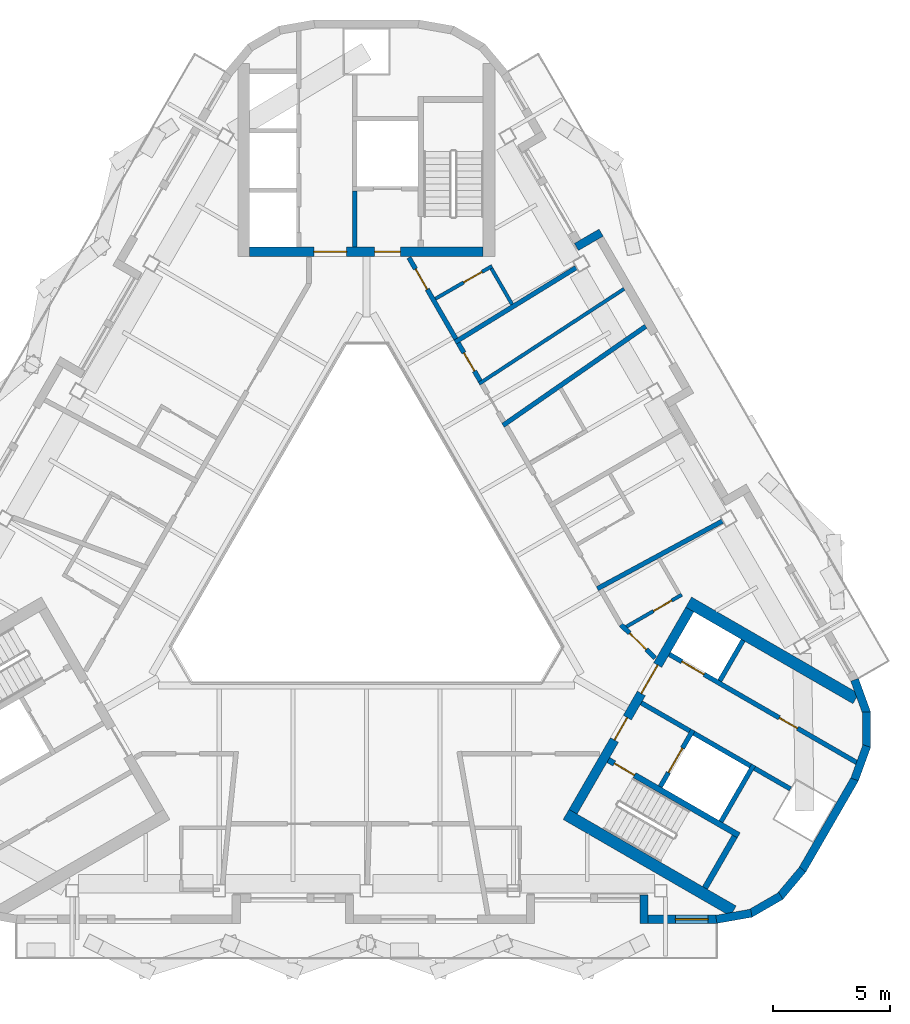
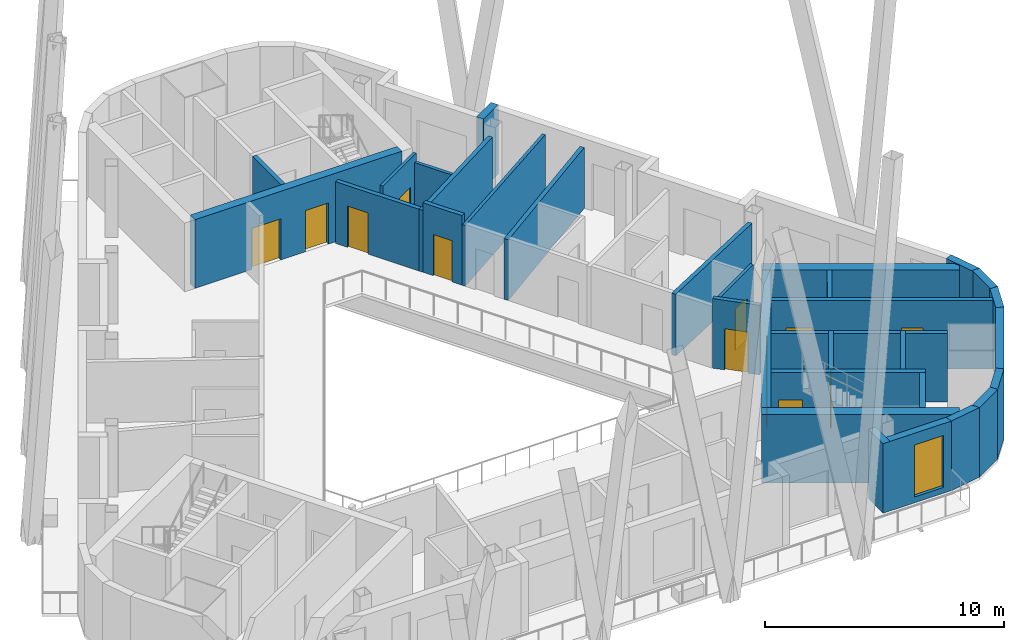
# One storey, part 5 of 12: 34 walls, 13 doors, 1 window, 14 openings.
"""IFC4 building model written with IfcOpenShell, lengths in metres."""

from ifc_helpers import new_model, si_unit, direction, frame, frame_2d, origin, place, context, subcontext, project, spatial, rectangle, extrude, material, layer, layer_set, type_object, element, fill, save


model = new_model("IFC4")

# Units and contexts
model_context = context("Model", 3, precision=1e-05, world=origin(), true_north=direction((0.0, 1.0)))
body_context = subcontext(model_context, "Body", "Model", "MODEL_VIEW")
ifc_project = project(units=[si_unit("LENGTHUNIT", "METRE"), si_unit("AREAUNIT", "SQUARE_METRE"), si_unit("VOLUMEUNIT", "CUBIC_METRE"), si_unit("PLANEANGLEUNIT", "RADIAN"), si_unit("MASSUNIT", "GRAM", prefix="KILO")], contexts=[model_context])

# Site, building, storey
site_placement = place(None, origin())
site = spatial("IfcSite", under=ifc_project, at=site_placement, CompositionType="ELEMENT")
building_placement = place(site_placement, origin())
building = spatial("IfcBuilding", under=site, at=building_placement, Name="Apuvela Tower Hotel", CompositionType="ELEMENT")
storey_placement = place(building_placement, frame((0.0, 0.0, 324.39990234375)))
storey = spatial("IfcBuildingStorey", under=building, at=storey_placement, Name="L81", CompositionType="ELEMENT", Elevation=324.39990234375)

# Wall, openings, doors
ifc_material_1 = material(Name="Concrete C50/60", Category="concrete")
ifc_layer_1 = layer(ifc_material_1, 0.39990234375)
ifc_layer_set_1 = layer_set([ifc_layer_1], Name="COR-WALL-CORE-400")
wall_type_1 = type_object("IfcWallType", Name="COR-WALL-CORE-400", PredefinedType="SHEAR", material=ifc_layer_set_1)
wall_1_placement = place(storey_placement, frame((5.0, 13.10009765625, 0.0), z_axis=(0.0, 0.0, 1.0), x_axis=(-1.0, 0.0, 0.0)))
wall_1 = element("IfcWall", 1, at=wall_1_placement, inside=storey, type_object=wall_type_1, Name="Core wall N", PredefinedType="SHEAR", context=body_context, shape_type="SweptSolid", body=[
    extrude(rectangle(XDim=10.0, YDim=0.39990234375, at=frame_2d((5.0, 0.0))), origin(), (0.0, 0.0, 1.0), 3.5),
])
opening_1_placement = place(wall_1_placement, frame((3.550048828125, 0.0, 0.0)))
opening_1 = element("IfcOpeningElement", 2, at=opening_1_placement, cuts=wall_1, Name="Opening N-FD", PredefinedType="OPENING", context=body_context, shape_type="SweptSolid", body=[
    extrude(rectangle(XDim=1.10009765625, YDim=2.10009765625, at=frame_2d((0.550048828125, 1.050048828125))), frame((0.0, 0.2099609375, 0.0), z_axis=(0.0, -1.0, 0.0), x_axis=(1.0, 0.0, 0.0)), (0.0, 0.0, 1.0), 0.419921875),
])
opening_2_placement = place(wall_1_placement, frame((5.85009765625, 0.0, 0.0)))
opening_2 = element("IfcOpeningElement", 3, at=opening_2_placement, cuts=wall_1, Name="Opening N-GD", PredefinedType="OPENING", context=body_context, shape_type="SweptSolid", body=[
    extrude(rectangle(XDim=1.39990234375, YDim=2.10009765625, at=frame_2d((0.699951171875, 1.050048828125))), frame((0.0, 0.2099609375, 0.0), z_axis=(0.0, -1.0, 0.0), x_axis=(1.0, 0.0, 0.0)), (0.0, 0.0, 1.0), 0.419921875),
])
ifc_material_2 = material(Name="Steel fire door, powder coated", Category="steel")
door_type_1 = type_object("IfcDoorType", Name="COR-FD-1100", OperationType="NOTDEFINED", PredefinedType="DOOR", material=ifc_material_2)
door_1_placement = place(opening_1_placement, frame((1.10009765625, 0.0, 0.0), z_axis=(0.0, 0.0, 1.0), x_axis=(-1.0, 0.0, 0.0)))
door_1 = element("IfcDoor", 4, at=door_1_placement, inside=storey, type_object=door_type_1, Name="Firefighting lobby door N-FD", OperationType="SINGLE_SWING_LEFT", OverallHeight=2.10009765625, OverallWidth=1.10009765625, PredefinedType="DOOR", context=body_context, shape_type="SweptSolid", body=[
    extrude(rectangle(XDim=1.10009765625, YDim=2.10009765625, at=frame_2d((0.550048828125, 1.050048828125))), frame((0.0, 0.02490234375, 0.0), z_axis=(0.0, -1.0, 0.0), x_axis=(1.0, 0.0, 0.0)), (0.0, 0.0, 1.0), 0.050048828125),
])
fill(opening_1, door_1)
ifc_material_3 = material(Name="Glazed steel fire door", Category="steel")
door_type_2 = type_object("IfcDoorType", Name="COR-GD-1400", OperationType="DOUBLE_DOOR_SINGLE_SWING", PredefinedType="DOOR", material=ifc_material_3)
door_2_placement = place(opening_2_placement, frame((1.39990234375, 0.0, 0.0), z_axis=(0.0, 0.0, 1.0), x_axis=(-1.0, 0.0, 0.0)))
door_2 = element("IfcDoor", 5, at=door_2_placement, inside=storey, type_object=door_type_2, Name="Lift lobby door N-GD", OperationType="DOUBLE_DOOR_SINGLE_SWING", OverallHeight=2.10009765625, OverallWidth=1.39990234375, PredefinedType="DOOR", context=body_context, shape_type="SweptSolid", body=[
    extrude(rectangle(XDim=1.39990234375, YDim=2.10009765625, at=frame_2d((0.699951171875, 1.050048828125))), frame((0.0, 0.02490234375, 0.0), z_axis=(0.0, -1.0, 0.0), x_axis=(1.0, 0.0, 0.0)), (0.0, 0.0, 1.0), 0.050048828125),
])
fill(opening_2, door_2)

wall_2_placement = place(storey_placement, frame((8.844970703125, -10.880126953125, 0.0), z_axis=(0.0, 0.0, 1.0), x_axis=(0.500004234368, 0.866022959057, 0.0)))
wall_2 = element("IfcWall", 6, at=wall_2_placement, inside=storey, type_object=wall_type_1, Name="Core wall SE", PredefinedType="SHEAR", context=body_context, shape_type="SweptSolid", body=[
    extrude(rectangle(XDim=10.0, YDim=0.39990234375, at=frame_2d((5.0, 0.0))), origin(), (0.0, 0.0, 1.0), 3.5),
])
opening_3_placement = place(wall_2_placement, frame((3.550048828125, 0.0, 0.0)))
opening_3 = element("IfcOpeningElement", 7, at=opening_3_placement, cuts=wall_2, Name="Opening E-FD", PredefinedType="OPENING", context=body_context, shape_type="SweptSolid", body=[
    extrude(rectangle(XDim=1.10009765625, YDim=2.10009765625, at=frame_2d((0.550048828125, 1.050048828125))), frame((0.0, 0.2099609375, 0.0), z_axis=(0.0, -1.0, 0.0), x_axis=(1.0, 0.0, 0.0)), (0.0, 0.0, 1.0), 0.419921875),
])
opening_4_placement = place(wall_2_placement, frame((5.85009765625, 0.0, 0.0)))
opening_4 = element("IfcOpeningElement", 8, at=opening_4_placement, cuts=wall_2, Name="Opening E-GD", PredefinedType="OPENING", context=body_context, shape_type="SweptSolid", body=[
    extrude(rectangle(XDim=1.39990234375, YDim=2.10009765625, at=frame_2d((0.699951171875, 1.050048828125))), frame((0.0, 0.2099609375, 0.0), z_axis=(0.0, -1.0, 0.0), x_axis=(1.0, 0.0, 0.0)), (0.0, 0.0, 1.0), 0.419921875),
])
door_3_placement = place(opening_3_placement, frame((1.10009765625, 0.0, 0.0), z_axis=(0.0, 0.0, 1.0), x_axis=(-1.0, 0.0, 0.0)))
door_3 = element("IfcDoor", 9, at=door_3_placement, inside=storey, type_object=door_type_1, Name="Firefighting lobby door E-FD", OperationType="SINGLE_SWING_LEFT", OverallHeight=2.10009765625, OverallWidth=1.10009765625, PredefinedType="DOOR", context=body_context, shape_type="SweptSolid", body=[
    extrude(rectangle(XDim=1.10009765625, YDim=2.10009765625, at=frame_2d((0.550048828125, 1.050048828125))), frame((0.0, 0.02490234375, 0.0), z_axis=(0.0, -1.0, 0.0), x_axis=(1.0, 0.0, 0.0)), (0.0, 0.0, 1.0), 0.050048828125),
])
fill(opening_3, door_3)
door_4_placement = place(opening_4_placement, frame((1.39990234375, 0.0, 0.0), z_axis=(0.0, 0.0, 1.0), x_axis=(-1.0, 0.0, 0.0)))
door_4 = element("IfcDoor", 10, at=door_4_placement, inside=storey, type_object=door_type_2, Name="Lift lobby door E-GD", OperationType="DOUBLE_DOOR_SINGLE_SWING", OverallHeight=2.10009765625, OverallWidth=1.39990234375, PredefinedType="DOOR", context=body_context, shape_type="SweptSolid", body=[
    extrude(rectangle(XDim=1.39990234375, YDim=2.10009765625, at=frame_2d((0.699951171875, 1.050048828125))), frame((0.0, 0.02490234375, 0.0), z_axis=(0.0, -1.0, 0.0), x_axis=(1.0, 0.0, 0.0)), (0.0, 0.0, 1.0), 0.050048828125),
])
fill(opening_4, door_4)

# Walls
ifc_layer_2 = layer(ifc_material_1, 0.5)
ifc_layer_set_2 = layer_set([ifc_layer_2], Name="COR-WALL-CORE-500")
wall_type_2 = type_object("IfcWallType", Name="COR-WALL-CORE-500", PredefinedType="SHEAR", material=ifc_layer_set_2)
for number, where, z_axis, x_axis, name in (
    (11, (8.546630859375, -10.99658203125, 0.0), (0.0, 0.0, 1.0), (0.866030186143, -0.49999171662, 0.0), "Core wall SE"),
    (12, (13.796630859375, -1.9033203125, 0.0), (0.0, 0.0, 1.0), (0.866030186143, -0.49999171662, 0.0), "Core wall SE"),
):
    element("IfcWall", number, at=place(storey_placement, frame(where, z_axis=z_axis, x_axis=x_axis)), inside=storey, type_object=wall_type_2, Name=name, PredefinedType="SHEAR", context=body_context, shape_type="SweptSolid", body=[
        extrude(rectangle(XDim=8.267333984375, YDim=0.5, at=frame_2d((4.1337890625, 0.0))), origin(), (0.0, 0.0, 1.0), 3.5),
    ])
ifc_layer_3 = layer(ifc_material_1, 0.199951171875)
ifc_layer_set_3 = layer_set([ifc_layer_3], Name="COR-WALL-SHAFT-200")
wall_type_3 = type_object("IfcWallType", Name="COR-WALL-SHAFT-200", PredefinedType="SHEAR", material=ifc_layer_set_3)
wall_3_placement = place(storey_placement, frame((-0.5, 13.300048828125, 0.0), z_axis=(0.0, 0.0, 1.0), x_axis=(0.0, 1.0, 0.0)))
element("IfcWall", 13, at=wall_3_placement, inside=storey, type_object=wall_type_3, Name="Shaft wall N", PredefinedType="SHEAR", context=body_context, shape_type="SweptSolid", body=[
    extrude(rectangle(XDim=2.39990234375, YDim=0.199951171875, at=frame_2d((1.199951171875, 0.0))), origin(), (0.0, 0.0, 1.0), 3.5),
])
wall_4_placement = place(storey_placement, frame((15.181396484375, -11.305419921875, 0.0), z_axis=(0.0, 0.0, 1.0), x_axis=(0.49994636267, 0.866056369097, 0.0)))
element("IfcWall", 14, at=wall_4_placement, inside=storey, type_object=wall_type_3, Name="Shaft wall SE", PredefinedType="SHEAR", context=body_context, shape_type="SweptSolid", body=[
    extrude(rectangle(XDim=2.800048828125, YDim=0.199951171875, at=frame_2d((1.39990234375, 0.0))), origin(), (0.0, 0.0, 1.0), 3.5),
])

# Wall, opening, door
wall_5_placement = place(storey_placement, frame((12.583251953125, -9.805419921875, 0.0), z_axis=(0.0, 0.0, 1.0), x_axis=(0.49994636267, 0.866056369097, 0.0)))
wall_5 = element("IfcWall", 15, at=wall_5_placement, inside=storey, type_object=wall_type_3, Name="Shaft wall SE", PredefinedType="SHEAR", context=body_context, shape_type="SweptSolid", body=[
    extrude(rectangle(XDim=2.800048828125, YDim=0.199951171875, at=frame_2d((1.39990234375, 0.0))), origin(), (0.0, 0.0, 1.0), 3.5),
])
opening_5_placement = place(wall_5_placement, frame((0.699951171875, 0.0, 0.0)))
opening_5 = element("IfcOpeningElement", 16, at=opening_5_placement, cuts=wall_5, Name="Opening E-LD-FS3", PredefinedType="OPENING", context=body_context, shape_type="SweptSolid", body=[
    extrude(rectangle(XDim=1.199951171875, YDim=2.10009765625, at=frame_2d((0.60009765625, 1.050048828125))), frame((0.0, 0.10986328125, 0.0), z_axis=(0.0, -1.0, 0.0), x_axis=(1.0, 0.0, 0.0)), (0.0, 0.0, 1.0), 0.219970703125),
])
ifc_material_4 = material(Name="Stainless steel lift landing door", Category="steel")
door_type_3 = type_object("IfcDoorType", Name="COR-LD-1200", OperationType="DOUBLE_DOOR_SLIDING", PredefinedType="DOOR", material=ifc_material_4)
door_5_placement = place(opening_5_placement, origin())
door_5 = element("IfcDoor", 17, at=door_5_placement, inside=storey, type_object=door_type_3, Name="Lift landing door E-LD-FS3", OperationType="DOUBLE_DOOR_SLIDING", OverallHeight=2.10009765625, OverallWidth=1.199951171875, PredefinedType="DOOR", context=body_context, shape_type="SweptSolid", body=[
    extrude(rectangle(XDim=1.199951171875, YDim=2.10009765625, at=frame_2d((0.60009765625, 1.050048828125))), frame((0.0, 0.02490234375, 0.0), z_axis=(0.0, -1.0, 0.0), x_axis=(1.0, 0.0, 0.0)), (0.0, 0.0, 1.0), 0.050048828125),
])
fill(opening_5, door_5)

# Walls
wall_6_placement = place(storey_placement, frame((11.76806640625, -6.217041015625, 0.0), z_axis=(0.0, 0.0, 1.0), x_axis=(0.866050077142, -0.499957262057, 0.0)))
element("IfcWall", 18, at=wall_6_placement, inside=storey, type_object=wall_type_3, Name="Shaft wall SE", PredefinedType="SHEAR", context=body_context, shape_type="SweptSolid", body=[
    extrude(rectangle(XDim=2.400146484375, YDim=0.199951171875, at=frame_2d((1.2001953125, 0.0))), origin(), (0.0, 0.0, 1.0), 3.5),
])
wall_7_placement = place(storey_placement, frame((14.019775390625, -7.51708984375, 0.0), z_axis=(0.0, 0.0, 1.0), x_axis=(0.866034573852, -0.49998411664, 0.0)))
element("IfcWall", 19, at=wall_7_placement, inside=storey, type_object=wall_type_3, Name="Shaft wall SE", PredefinedType="SHEAR", context=body_context, shape_type="SweptSolid", body=[
    extrude(rectangle(XDim=2.7998046875, YDim=0.199951171875, at=frame_2d((1.39990234375, 0.0))), origin(), (0.0, 0.0, 1.0), 3.5),
])

# Wall, openings, doors
wall_8_placement = place(storey_placement, frame((12.968017578125, -4.138427734375, 0.0), z_axis=(0.0, 0.0, 1.0), x_axis=(0.866022923061, -0.500004296715, 0.0)))
wall_8 = element("IfcWall", 20, at=wall_8_placement, inside=storey, type_object=wall_type_3, Name="Shaft wall SE", PredefinedType="SHEAR", context=body_context, shape_type="SweptSolid", body=[
    extrude(rectangle(XDim=9.27294921875, YDim=0.199951171875, at=frame_2d((4.636474609375, 0.0))), origin(), (0.0, 0.0, 1.0), 3.5),
])
opening_6_placement = place(wall_8_placement, frame((0.6201171875, 0.0, 0.0)))
opening_6 = element("IfcOpeningElement", 21, at=opening_6_placement, cuts=wall_8, Name="Opening E-LD-HR3", PredefinedType="OPENING", context=body_context, shape_type="SweptSolid", body=[
    extrude(rectangle(XDim=1.10009765625, YDim=2.10009765625, at=frame_2d((0.550048828125, 1.050048828125))), frame((0.0, 0.10986328125, 0.0), z_axis=(0.0, -1.0, 0.0), x_axis=(1.0, 0.0, 0.0)), (0.0, 0.0, 1.0), 0.219970703125),
])
opening_7_placement = place(wall_8_placement, frame((5.438720703125, 0.0, 0.0)))
opening_7 = element("IfcOpeningElement", 22, at=opening_7_placement, cuts=wall_8, Name="Opening E-RE2", PredefinedType="OPENING", context=body_context, shape_type="SweptSolid", body=[
    extrude(rectangle(XDim=0.89990234375, YDim=2.10009765625, at=frame_2d((0.449951171875, 1.050048828125))), frame((0.0, 0.10986328125, 0.0), z_axis=(0.0, -1.0, 0.0), x_axis=(1.0, 0.0, 0.0)), (0.0, 0.0, 1.0), 0.219970703125),
])
door_type_4 = type_object("IfcDoorType", Name="COR-DR-900", OperationType="NOTDEFINED", PredefinedType="DOOR", material=ifc_material_2)
door_6_placement = place(opening_7_placement, origin())
door_6 = element("IfcDoor", 23, at=door_6_placement, inside=storey, type_object=door_type_4, Name="Store door E-RE2", OperationType="SINGLE_SWING_LEFT", OverallHeight=2.10009765625, OverallWidth=0.89990234375, PredefinedType="DOOR", context=body_context, shape_type="SweptSolid", body=[
    extrude(rectangle(XDim=0.89990234375, YDim=2.10009765625, at=frame_2d((0.449951171875, 1.050048828125))), frame((0.0, 0.02490234375, 0.0), z_axis=(0.0, -1.0, 0.0), x_axis=(1.0, 0.0, 0.0)), (0.0, 0.0, 1.0), 0.050048828125),
])
fill(opening_7, door_6)
door_type_5 = type_object("IfcDoorType", Name="COR-LD-1100", OperationType="DOUBLE_DOOR_SLIDING", PredefinedType="DOOR", material=ifc_material_4)
door_7_placement = place(opening_6_placement, origin())
door_7 = element("IfcDoor", 24, at=door_7_placement, inside=storey, type_object=door_type_5, Name="Lift landing door E-LD-HR3", OperationType="DOUBLE_DOOR_SLIDING", OverallHeight=2.10009765625, OverallWidth=1.10009765625, PredefinedType="DOOR", context=body_context, shape_type="SweptSolid", body=[
    extrude(rectangle(XDim=1.10009765625, YDim=2.10009765625, at=frame_2d((0.550048828125, 1.050048828125))), frame((0.0, 0.02490234375, 0.0), z_axis=(0.0, -1.0, 0.0), x_axis=(1.0, 0.0, 0.0)), (0.0, 0.0, 1.0), 0.050048828125),
])
fill(opening_6, door_7)

# Walls
wall_9_placement = place(storey_placement, frame((16.617919921875, -9.01708984375, 0.0), z_axis=(0.0, 0.0, 1.0), x_axis=(0.866066400931, -0.499928984136, 0.0)))
element("IfcWall", 25, at=wall_9_placement, inside=storey, type_object=wall_type_3, Name="Shaft wall SE", PredefinedType="SHEAR", context=body_context, shape_type="SweptSolid", body=[
    extrude(rectangle(XDim=1.773681640625, YDim=0.199951171875, at=frame_2d((0.88671875, 0.0))), origin(), (0.0, 0.0, 1.0), 3.5),
])
wall_10_placement = place(storey_placement, frame((15.131103515625, -5.27197265625, 0.0), z_axis=(0.0, 0.0, 1.0), x_axis=(0.499972520799, 0.866041268327, 0.0)))
element("IfcWall", 26, at=wall_10_placement, inside=storey, type_object=wall_type_3, Name="Shaft wall SE", PredefinedType="SHEAR", context=body_context, shape_type="SweptSolid", body=[
    extrude(rectangle(XDim=2.0, YDim=0.199951171875, at=frame_2d((1.0, 0.0))), origin(), (0.0, 0.0, 1.0), 3.5),
])

# Wall, opening, door
ifc_layer_4 = layer(ifc_material_1, 0.25)
ifc_layer_set_4 = layer_set([ifc_layer_4], Name="COR-WALL-STAIR-250")
wall_type_4 = type_object("IfcWallType", Name="COR-WALL-STAIR-250", PredefinedType="SHEAR", material=ifc_layer_set_4)
wall_11_placement = place(storey_placement, frame((10.355712890625, -8.66357421875, 0.0), z_axis=(0.0, 0.0, 1.0), x_axis=(0.866028629588, -0.499994412703, 0.0)))
wall_11 = element("IfcWall", 27, at=wall_11_placement, inside=storey, type_object=wall_type_4, Name="Stair wall SE", PredefinedType="SHEAR", context=body_context, shape_type="SweptSolid", body=[
    extrude(rectangle(XDim=6.44970703125, YDim=0.25, at=frame_2d((3.224853515625, 0.0))), origin(), (0.0, 0.0, 1.0), 3.5),
])
opening_8_placement = place(wall_11_placement, frame((0.300048828125, 0.0, 0.0)))
opening_8 = element("IfcOpeningElement", 28, at=opening_8_placement, cuts=wall_11, Name="Opening E-SD", PredefinedType="OPENING", context=body_context, shape_type="SweptSolid", body=[
    extrude(rectangle(XDim=1.0, YDim=2.10009765625, at=frame_2d((0.5, 1.050048828125))), frame((0.0, 0.135009765625, 0.0), z_axis=(0.0, -1.0, 0.0), x_axis=(1.0, 0.0, 0.0)), (0.0, 0.0, 1.0), 0.27001953125),
])
door_type_6 = type_object("IfcDoorType", Name="COR-SD-1000", OperationType="NOTDEFINED", PredefinedType="DOOR", material=ifc_material_2)
door_8_placement = place(opening_8_placement, frame((1.0, 0.0, 0.0), z_axis=(0.0, 0.0, 1.0), x_axis=(-1.0, 0.0, 0.0)))
door_8 = element("IfcDoor", 29, at=door_8_placement, inside=storey, type_object=door_type_6, Name="Stair door E-SD", OperationType="SINGLE_SWING_LEFT", OverallHeight=2.10009765625, OverallWidth=1.0, PredefinedType="DOOR", context=body_context, shape_type="SweptSolid", body=[
    extrude(rectangle(XDim=1.0, YDim=2.10009765625, at=frame_2d((0.5, 1.050048828125))), frame((0.0, 0.02490234375, 0.0), z_axis=(0.0, -1.0, 0.0), x_axis=(1.0, 0.0, 0.0)), (0.0, 0.0, 1.0), 0.050048828125),
])
fill(opening_8, door_8)

# Walls
wall_12_placement = place(storey_placement, frame((14.49560546875, -14.142578125, 0.0), z_axis=(0.0, 0.0, 1.0), x_axis=(0.500062241894, 0.865989465428, 0.0)))
element("IfcWall", 30, at=wall_12_placement, inside=storey, type_object=wall_type_4, Name="Stair wall SE", PredefinedType="SHEAR", context=body_context, shape_type="SweptSolid", body=[
    extrude(rectangle(XDim=2.550048828125, YDim=0.25, at=frame_2d((1.27490234375, 0.0))), origin(), (0.0, 0.0, 1.0), 3.5),
])
ifc_material_5 = material(Name="Concrete C40/50, dark pigmented precast panel", Category="concrete")
ifc_layer_5 = layer(ifc_material_5, 0.35009765625)
ifc_layer_set_5 = layer_set([ifc_layer_5], Name="ENV-WALL-350")
wall_type_5 = type_object("IfcWallType", Name="ENV-WALL-350", PredefinedType="SOLIDWALL", material=ifc_layer_set_5)
wall_13_placement = place(storey_placement, frame((11.8798828125, -14.4404296875, 0.0), z_axis=(0.0, 0.0, 1.0), x_axis=(0.0, -1.0, 0.0)))
element("IfcWall", 31, at=wall_13_placement, inside=storey, type_object=wall_type_5, Name="External wall L81-24", PredefinedType="SOLIDWALL", context=body_context, shape_type="SweptSolid", body=[
    extrude(rectangle(XDim=1.219970703125, YDim=0.35009765625, at=frame_2d((0.60986328125, 0.0))), origin(), (0.0, 0.0, 1.0), 3.550048828125),
])

# Wall, opening, window
wall_14_placement = place(storey_placement, frame((11.704833984375, -15.4853515625, 0.0), z_axis=(0.0, 0.0, 1.0), x_axis=(1.0, 0.0, 0.0)))
wall_14 = element("IfcWall", 32, at=wall_14_placement, inside=storey, type_object=wall_type_5, Name="External wall L81-25", PredefinedType="SOLIDWALL", context=body_context, shape_type="SweptSolid", body=[
    extrude(rectangle(XDim=3.30615234375, YDim=0.35009765625, at=frame_2d((1.653076171875, 0.0))), origin(), (0.0, 0.0, 1.0), 3.550048828125),
])
opening_9_placement = place(wall_14_placement, frame((1.52490234375, 0.0, 0.300048828125)))
opening_9 = element("IfcOpeningElement", 33, at=opening_9_placement, cuts=wall_14, Name="Opening WN14", PredefinedType="OPENING", context=body_context, shape_type="SweptSolid", body=[
    extrude(rectangle(XDim=1.39990234375, YDim=2.64990234375, at=frame_2d((0.699951171875, 1.324951171875))), frame((0.0, 0.18505859375, 0.0), z_axis=(0.0, -1.0, 0.0), x_axis=(1.0, 0.0, 0.0)), (0.0, 0.0, 1.0), 0.3701171875),
])
ifc_material_6 = material(Name="Glass, dark tinted laminated insulated glazing unit", Category="glass")
window_type = type_object("IfcWindowType", Name="ENV-WIN-1400x2650", PartitioningType="SINGLE_PANEL", PredefinedType="WINDOW", material=ifc_material_6)
window_placement = place(opening_9_placement, origin())
window = element("IfcWindow", 34, at=window_placement, inside=storey, type_object=window_type, Name="Window WN14", OverallHeight=2.64990234375, OverallWidth=1.39990234375, PartitioningType="SINGLE_PANEL", PredefinedType="WINDOW", context=body_context, shape_type="SweptSolid", body=[
    extrude(rectangle(XDim=1.39990234375, YDim=2.64990234375, at=frame_2d((0.699951171875, 1.324951171875))), frame((0.0, 0.030029296875, 0.0), z_axis=(0.0, -1.0, 0.0), x_axis=(1.0, 0.0, 0.0)), (0.0, 0.0, 1.0), 0.06005859375),
])
fill(opening_9, window)

# Walls
for number, where, z_axis, x_axis, name in (
    (35, (14.98046875, -15.488037109375, 0.0), (0.0, 0.0, 1.0), (0.984804518596, 0.173666519954, 0.0), "External wall L81-26"),
    (36, (16.424072265625, -15.244140625, 0.0), (0.0, 0.0, 1.0), (0.8661055579, 0.499861143294, 0.0), "External wall L81-27"),
):
    element("IfcWall", number, at=place(storey_placement, frame(where, z_axis=z_axis, x_axis=x_axis)), inside=storey, type_object=wall_type_5, Name=name, PredefinedType="SOLIDWALL", context=body_context, shape_type="SweptSolid", body=[
        extrude(rectangle(XDim=1.52392578125, YDim=0.35009765625, at=frame_2d((0.761962890625, 0.0))), origin(), (0.0, 0.0, 1.0), 3.550048828125),
    ])
wall_15_placement = place(storey_placement, frame((17.697265625, -14.521240234375, 0.0), z_axis=(0.0, 0.0, 1.0), x_axis=(0.642812493629, 0.766023562323, 0.0)))
element("IfcWall", 37, at=wall_15_placement, inside=storey, type_object=wall_type_5, Name="External wall L81-28", PredefinedType="SOLIDWALL", context=body_context, shape_type="SweptSolid", body=[
    extrude(rectangle(XDim=1.523681640625, YDim=0.35009765625, at=frame_2d((0.76171875, 0.0))), origin(), (0.0, 0.0, 1.0), 3.550048828125),
])
wall_16_placement = place(storey_placement, frame((18.6591796875, -13.37890625, 0.0), z_axis=(0.0, 0.0, 1.0), x_axis=(0.500042384281, 0.866000931825, 0.0)))
element("IfcWall", 38, at=wall_16_placement, inside=storey, type_object=wall_type_5, Name="External wall L81-29", PredefinedType="SOLIDWALL", context=body_context, shape_type="SweptSolid", body=[
    extrude(rectangle(XDim=4.513671875, YDim=0.35009765625, at=frame_2d((2.2568359375, 0.0))), origin(), (0.0, 0.0, 1.0), 3.550048828125),
])
for number, where, z_axis, x_axis, name in (
    (39, (20.9033203125, -9.49755859375, 0.0), (0.0, 0.0, 1.0), (0.342013156287, 0.939695163831, 0.0), "External wall L81-30"),
    (40, (21.413818359375, -8.12548828125, 0.0), (0.0, 0.0, 1.0), (0.0, 1.0, 0.0), "External wall L81-31"),
    (41, (21.424560546875, -6.66162109375, 0.0), (0.0, 0.0, 1.0), (-0.342013156287, 0.939695163831, 0.0), "External wall L81-32"),
):
    element("IfcWall", number, at=place(storey_placement, frame(where, z_axis=z_axis, x_axis=x_axis)), inside=storey, type_object=wall_type_5, Name=name, PredefinedType="SOLIDWALL", context=body_context, shape_type="SweptSolid", body=[
        extrude(rectangle(XDim=1.52392578125, YDim=0.35009765625, at=frame_2d((0.761962890625, 0.0))), origin(), (0.0, 0.0, 1.0), 3.550048828125),
    ])
wall_17_placement = place(storey_placement, frame((10.048583984375, 13.916259765625, 0.0), z_axis=(0.0, 0.0, 1.0), x_axis=(-0.866005645448, -0.500034220881, 0.0)))
element("IfcWall", 42, at=wall_17_placement, inside=storey, type_object=wall_type_5, Name="External wall L81-38", PredefinedType="SOLIDWALL", context=body_context, shape_type="SweptSolid", body=[
    extrude(rectangle(XDim=1.22021484375, YDim=0.35009765625, at=frame_2d((0.610107421875, 0.0))), origin(), (0.0, 0.0, 1.0), 3.550048828125),
])
ifc_material_7 = material(Name="Gypsum board partition on twin steel stud", Category="steel")
ifc_layer_6 = layer(ifc_material_7, 0.199951171875)
ifc_layer_set_6 = layer_set([ifc_layer_6], Name="GST-PW1")
wall_type_6 = type_object("IfcWallType", Name="GST-PW1", PredefinedType="PARTITIONING", material=ifc_layer_set_6)
wall_18_placement = place(storey_placement, frame((15.244384765625, 1.56689453125, 0.0), z_axis=(0.0, 0.0, 1.0), x_axis=(-0.879711500968, -0.475507807575, 0.0)))
element("IfcWall", 43, at=wall_18_placement, inside=storey, type_object=wall_type_6, Name="L81 partition 04", PredefinedType="PARTITIONING", context=body_context, shape_type="SweptSolid", body=[
    extrude(rectangle(XDim=6.087646484375, YDim=0.199951171875, at=frame_2d((3.0439453125, 0.0))), origin(), (0.0, 0.0, 1.0), 3.150146484375),
])
wall_19_placement = place(storey_placement, frame((11.959228515625, 9.906982421875, 0.0), z_axis=(0.0, 0.0, 1.0), x_axis=(-0.821566459399, -0.570112754454, 0.0)))
element("IfcWall", 44, at=wall_19_placement, inside=storey, type_object=wall_type_6, Name="L81 partition 06", PredefinedType="PARTITIONING", context=body_context, shape_type="SweptSolid", body=[
    extrude(rectangle(XDim=7.436279296875, YDim=0.199951171875, at=frame_2d((3.71826171875, 0.0))), origin(), (0.0, 0.0, 1.0), 3.10009765625),
])
wall_20_placement = place(storey_placement, frame((8.97900390625, 12.41845703125, 0.0), z_axis=(0.0, 0.0, 1.0), x_axis=(-0.851645923852, -0.524117563516, 0.0)))
element("IfcWall", 45, at=wall_20_placement, inside=storey, type_object=wall_type_6, Name="L81 partition 07", PredefinedType="PARTITIONING", context=body_context, shape_type="SweptSolid", body=[
    extrude(rectangle(XDim=6.087646484375, YDim=0.199951171875, at=frame_2d((3.0439453125, 0.0))), origin(), (0.0, 0.0, 1.0), 3.150146484375),
])

# Wall, opening, door
ifc_material_8 = material(Name="Gypsum board corridor wall on twin steel stud, acoustic", Category="steel")
ifc_layer_7 = layer(ifc_material_8, 0.199951171875)
ifc_layer_set_7 = layer_set([ifc_layer_7], Name="GST-PW2")
wall_type_7 = type_object("IfcWallType", Name="GST-PW2", PredefinedType="PARTITIONING", material=ifc_layer_set_7)
wall_21_placement = place(storey_placement, frame((10.896484375, -2.873291015625, 0.0), z_axis=(0.0, 0.0, 1.0), x_axis=(0.716974970554, -0.697098910916, 0.0)))
wall_21 = element("IfcWall", 46, at=wall_21_placement, inside=storey, type_object=wall_type_7, Name="L81 partition 22", PredefinedType="PARTITIONING", context=body_context, shape_type="SweptSolid", body=[
    extrude(rectangle(XDim=2.0390625, YDim=0.199951171875, at=frame_2d((1.01953125, 0.0))), origin(), (0.0, 0.0, 1.0), 3.550048828125),
])
opening_10_placement = place(wall_21_placement, frame((0.51953125, 0.0, 0.0)))
opening_10 = element("IfcOpeningElement", 47, at=opening_10_placement, cuts=wall_21, Name="Opening GD35-08", PredefinedType="OPENING", context=body_context, shape_type="SweptSolid", body=[
    extrude(rectangle(XDim=1.0, YDim=2.10009765625, at=frame_2d((0.5, 1.050048828125))), frame((0.0, 0.10986328125, 0.0), z_axis=(0.0, -1.0, 0.0), x_axis=(1.0, 0.0, 0.0)), (0.0, 0.0, 1.0), 0.219970703125),
])
ifc_material_9 = material(Name="Timber door leaf in steel frame", Category="steel")
door_type_7 = type_object("IfcDoorType", Name="GST-D1", OperationType="NOTDEFINED", PredefinedType="DOOR", material=ifc_material_9)
door_9_placement = place(opening_10_placement, origin())
door_9 = element("IfcDoor", 48, at=door_9_placement, inside=storey, type_object=door_type_7, Name="Door L81-08", OperationType="SINGLE_SWING_RIGHT", OverallHeight=2.10009765625, OverallWidth=1.0, PredefinedType="DOOR", context=body_context, shape_type="SweptSolid", body=[
    extrude(rectangle(XDim=1.0, YDim=2.10009765625, at=frame_2d((0.5, 1.050048828125))), frame((0.0, 0.02490234375, 0.0), z_axis=(0.0, -1.0, 0.0), x_axis=(1.0, 0.0, 0.0)), (0.0, 0.0, 1.0), 0.050048828125),
])
fill(opening_10, door_9)

wall_22_placement = place(storey_placement, frame((3.9296875, 9.193603515625, 0.0), z_axis=(0.0, 0.0, 1.0), x_axis=(0.499928798138, -0.866066508296, 0.0)))
wall_22 = element("IfcWall", 49, at=wall_22_placement, inside=storey, type_object=wall_type_7, Name="L81 partition 33", PredefinedType="PARTITIONING", context=body_context, shape_type="SweptSolid", body=[
    extrude(rectangle(XDim=1.877685546875, YDim=0.199951171875, at=frame_2d((0.93896484375, 0.0))), origin(), (0.0, 0.0, 1.0), 3.550048828125),
])
opening_11_placement = place(wall_22_placement, frame((0.489013671875, 0.0, 0.0)))
opening_11 = element("IfcOpeningElement", 50, at=opening_11_placement, cuts=wall_22, Name="Opening GD35-14", PredefinedType="OPENING", context=body_context, shape_type="SweptSolid", body=[
    extrude(rectangle(XDim=0.89990234375, YDim=2.10009765625, at=frame_2d((0.449951171875, 1.050048828125))), frame((0.0, 0.10986328125, 0.0), z_axis=(0.0, -1.0, 0.0), x_axis=(1.0, 0.0, 0.0)), (0.0, 0.0, 1.0), 0.219970703125),
])
door_type_8 = type_object("IfcDoorType", Name="GST-D2", OperationType="NOTDEFINED", PredefinedType="DOOR", material=ifc_material_9)
door_10_placement = place(opening_11_placement, origin())
door_10 = element("IfcDoor", 51, at=door_10_placement, inside=storey, type_object=door_type_8, Name="Door L81-14", OperationType="SINGLE_SWING_RIGHT", OverallHeight=2.10009765625, OverallWidth=0.89990234375, PredefinedType="DOOR", context=body_context, shape_type="SweptSolid", body=[
    extrude(rectangle(XDim=0.89990234375, YDim=2.10009765625, at=frame_2d((0.449951171875, 1.050048828125))), frame((0.0, 0.02490234375, 0.0), z_axis=(0.0, -1.0, 0.0), x_axis=(1.0, 0.0, 0.0)), (0.0, 0.0, 1.0), 0.050048828125),
])
fill(opening_11, door_10)

wall_23_placement = place(storey_placement, frame((1.818603515625, 12.85009765625, 0.0), z_axis=(0.0, 0.0, 1.0), x_axis=(0.499997437312, -0.866026883348, 0.0)))
wall_23 = element("IfcWall", 52, at=wall_23_placement, inside=storey, type_object=wall_type_7, Name="L81 partition 34", PredefinedType="PARTITIONING", context=body_context, shape_type="SweptSolid", body=[
    extrude(rectangle(XDim=4.02197265625, YDim=0.199951171875, at=frame_2d((2.010986328125, 0.0))), origin(), (0.0, 0.0, 1.0), 3.150146484375),
])
opening_12_placement = place(wall_23_placement, frame((0.569091796875, 0.0, 0.0)))
opening_12 = element("IfcOpeningElement", 53, at=opening_12_placement, cuts=wall_23, Name="Opening GD35-16", PredefinedType="OPENING", context=body_context, shape_type="SweptSolid", body=[
    extrude(rectangle(XDim=1.0, YDim=2.10009765625, at=frame_2d((0.5, 1.050048828125))), frame((0.0, 0.10986328125, 0.0), z_axis=(0.0, -1.0, 0.0), x_axis=(1.0, 0.0, 0.0)), (0.0, 0.0, 1.0), 0.219970703125),
])
door_11_placement = place(opening_12_placement, origin())
door_11 = element("IfcDoor", 54, at=door_11_placement, inside=storey, type_object=door_type_7, Name="Door L81-16", OperationType="SINGLE_SWING_LEFT", OverallHeight=2.10009765625, OverallWidth=1.0, PredefinedType="DOOR", context=body_context, shape_type="SweptSolid", body=[
    extrude(rectangle(XDim=1.0, YDim=2.10009765625, at=frame_2d((0.5, 1.050048828125))), frame((0.0, 0.02490234375, 0.0), z_axis=(0.0, -1.0, 0.0), x_axis=(1.0, 0.0, 0.0)), (0.0, 0.0, 1.0), 0.050048828125),
])
fill(opening_12, door_11)

ifc_material_10 = material(Name="Moisture-resistant gypsum board wet wall on steel stud", Category="steel")
ifc_layer_8 = layer(ifc_material_10, 0.14990234375)
ifc_layer_set_8 = layer_set([ifc_layer_8], Name="GST-PW3")
wall_type_8 = type_object("IfcWallType", Name="GST-PW3", PredefinedType="PARTITIONING", material=ifc_layer_set_8)
wall_24_placement = place(storey_placement, frame((11.077392578125, -2.986572265625, 0.0), z_axis=(0.0, 0.0, 1.0), x_axis=(0.865996816683, 0.500049511043, 0.0)))
wall_24 = element("IfcWall", 55, at=wall_24_placement, inside=storey, type_object=wall_type_8, Name="L81 partition 23", PredefinedType="PARTITIONING", context=body_context, shape_type="SweptSolid", body=[
    extrude(rectangle(XDim=2.800048828125, YDim=0.14990234375, at=frame_2d((1.39990234375, 0.0))), origin(), (0.0, 0.0, 1.0), 3.550048828125),
])
opening_13_placement = place(wall_24_placement, frame((1.39990234375, 0.0, 0.0)))
opening_13 = element("IfcOpeningElement", 56, at=opening_13_placement, cuts=wall_24, Name="Opening GD35-07", PredefinedType="OPENING", context=body_context, shape_type="SweptSolid", body=[
    extrude(rectangle(XDim=0.89990234375, YDim=2.10009765625, at=frame_2d((0.449951171875, 1.050048828125))), frame((0.0, 0.0849609375, 0.0), z_axis=(0.0, -1.0, 0.0), x_axis=(1.0, 0.0, 0.0)), (0.0, 0.0, 1.0), 0.169921875),
])
door_12_placement = place(opening_13_placement, origin())
door_12 = element("IfcDoor", 57, at=door_12_placement, inside=storey, type_object=door_type_8, Name="Door L81-07", OperationType="SINGLE_SWING_RIGHT", OverallHeight=2.10009765625, OverallWidth=0.89990234375, PredefinedType="DOOR", context=body_context, shape_type="SweptSolid", body=[
    extrude(rectangle(XDim=0.89990234375, YDim=2.10009765625, at=frame_2d((0.449951171875, 1.050048828125))), frame((0.0, 0.02490234375, 0.0), z_axis=(0.0, -1.0, 0.0), x_axis=(1.0, 0.0, 0.0)), (0.0, 0.0, 1.0), 0.050048828125),
])
fill(opening_13, door_12)

# Wall
wall_25_placement = place(storey_placement, frame((11.03369140625, 11.510009765625, 0.0), z_axis=(0.0, 0.0, 1.0), x_axis=(-0.836911659743, -0.54733798862, 0.0)))
element("IfcWall", 58, at=wall_25_placement, inside=storey, type_object=wall_type_8, Name="L81 partition 31", PredefinedType="PARTITIONING", context=body_context, shape_type="SweptSolid", body=[
    extrude(rectangle(XDim=7.421875, YDim=0.14990234375, at=frame_2d((3.7109375, 0.0))), origin(), (0.0, 0.0, 1.0), 3.10009765625),
])

# Wall, opening, door
wall_26_placement = place(storey_placement, frame((5.377197265625, 12.486572265625, 0.0), z_axis=(0.0, 0.0, 1.0), x_axis=(-0.865996816683, -0.500049511043, 0.0)))
wall_26 = element("IfcWall", 59, at=wall_26_placement, inside=storey, type_object=wall_type_8, Name="L81 partition 35", PredefinedType="PARTITIONING", context=body_context, shape_type="SweptSolid", body=[
    extrude(rectangle(XDim=2.800048828125, YDim=0.14990234375, at=frame_2d((1.39990234375, 0.0))), origin(), (0.0, 0.0, 1.0), 3.550048828125),
])
opening_14_placement = place(wall_26_placement, frame((0.5, 0.0, 0.0)))
opening_14 = element("IfcOpeningElement", 60, at=opening_14_placement, cuts=wall_26, Name="Opening GD35-15", PredefinedType="OPENING", context=body_context, shape_type="SweptSolid", body=[
    extrude(rectangle(XDim=0.89990234375, YDim=2.10009765625, at=frame_2d((0.449951171875, 1.050048828125))), frame((0.0, 0.0849609375, 0.0), z_axis=(0.0, -1.0, 0.0), x_axis=(1.0, 0.0, 0.0)), (0.0, 0.0, 1.0), 0.169921875),
])
door_13_placement = place(opening_14_placement, origin())
door_13 = element("IfcDoor", 61, at=door_13_placement, inside=storey, type_object=door_type_8, Name="Door L81-15", OperationType="SINGLE_SWING_LEFT", OverallHeight=2.10009765625, OverallWidth=0.89990234375, PredefinedType="DOOR", context=body_context, shape_type="SweptSolid", body=[
    extrude(rectangle(XDim=0.89990234375, YDim=2.10009765625, at=frame_2d((0.449951171875, 1.050048828125))), frame((0.0, 0.02490234375, 0.0), z_axis=(0.0, -1.0, 0.0), x_axis=(1.0, 0.0, 0.0)), (0.0, 0.0, 1.0), 0.050048828125),
])
fill(opening_14, door_13)

# Wall
wall_27_placement = place(storey_placement, frame((6.236572265625, 10.84814453125, 0.0), z_axis=(0.0, 0.0, 1.0), x_axis=(-0.500091824179, 0.865972382579, 0.0)))
element("IfcWall", 62, at=wall_27_placement, inside=storey, type_object=wall_type_8, Name="L81 partition 36", PredefinedType="PARTITIONING", context=body_context, shape_type="SweptSolid", body=[
    extrude(rectangle(XDim=1.773681640625, YDim=0.14990234375, at=frame_2d((0.88671875, 0.0))), origin(), (0.0, 0.0, 1.0), 3.150146484375),
])

save(model, "model.ifc")
